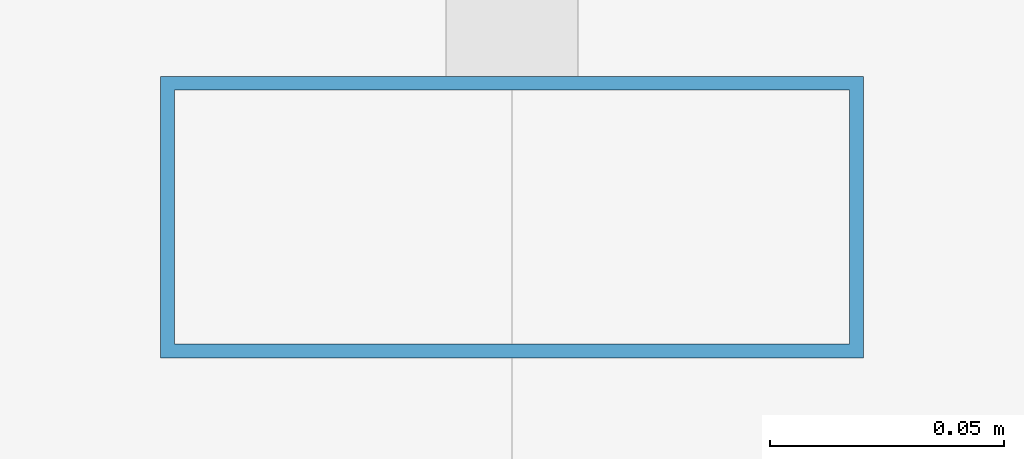
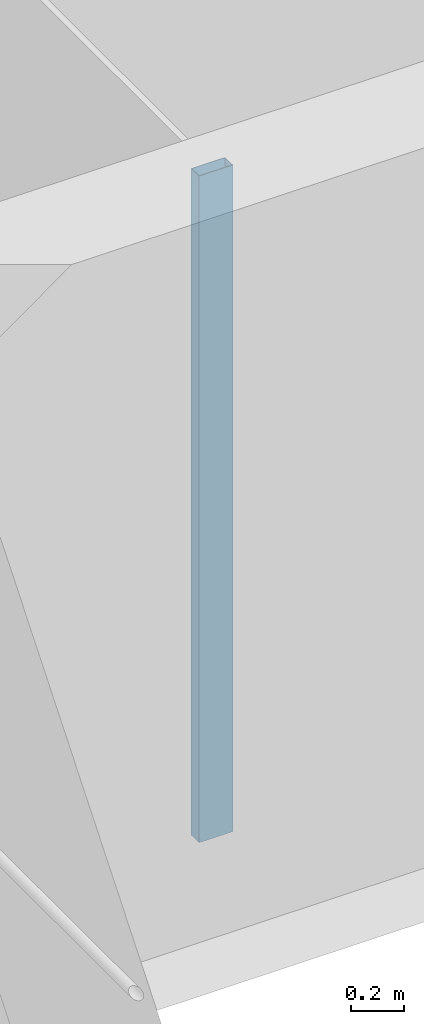
# One storey, part 11 of 40: 1 member, 1 element without a shape of its own.
"""IFC4 building model written with IfcOpenShell, lengths in metres."""

from ifc_helpers import new_model, si_unit, direction, frame, origin, origin_2d, place, context, subcontext, project, spatial, hollow_rectangle, extrude, material, material_profile, profile_set, type_object, element, aggregate, save


model = new_model("IFC4")

# Units and contexts
model_context = context("Model", 3, precision=1e-05, world=origin(), true_north=direction((0.0, 1.0)))
body_context = subcontext(model_context, "Body", "Model", "MODEL_VIEW")
ifc_project = project(units=[si_unit("LENGTHUNIT", "METRE"), si_unit("AREAUNIT", "SQUARE_METRE"), si_unit("VOLUMEUNIT", "CUBIC_METRE"), si_unit("PLANEANGLEUNIT", "RADIAN"), si_unit("MASSUNIT", "GRAM", prefix="KILO")], contexts=[model_context])

# Site, building, storey
site_placement = place(None, origin())
site = spatial("IfcSite", under=ifc_project, at=site_placement, CompositionType="ELEMENT")
building_placement = place(site_placement, origin())
building = spatial("IfcBuilding", under=site, at=building_placement, Name="Altepetl Exchange Towers", CompositionType="ELEMENT")
storey_placement = place(building_placement, frame((0.0, 0.0, 202.800048828125)))
storey = spatial("IfcBuildingStorey", under=building, at=storey_placement, Name="L51", CompositionType="ELEMENT", Elevation=202.800048828125)

# Curtain wall, member
ifc_material_1 = material(Name="Aluminium 6063-T6 glazing", Category="aluminium")
curtain_wall_type = type_object("IfcCurtainWallType", Name="Loggia glazing system", PredefinedType="NOTDEFINED", material=ifc_material_1)
curtain_wall_placement = place(storey_placement, origin())
curtain_wall = element("IfcCurtainWall", 1, at=curtain_wall_placement, inside=storey, type_object=curtain_wall_type, Name="CW1 run", PredefinedType="NOTDEFINED")
ifc_material_2 = material(Name="Aluminium 6063-T6", Category="aluminium")
ifc_material_profile = material_profile(ifc_material_2, hollow_rectangle(XDim=0.06005859375, YDim=0.14990234375, WallThickness=0.0029296875, at=origin_2d()), Name="Mullion 60x150 aluminium")
ifc_profile_set = profile_set([ifc_material_profile], Name="Aluminium 6063-T6")
member_type = type_object("IfcMemberType", Name="Mullion 60x150 aluminium", PredefinedType="MULLION", material=ifc_profile_set)
member_placement = place(storey_placement, frame((42.5, 58.60498046875, 0.0), z_axis=(0.0, 0.0, 1.0), x_axis=(0.0, -1.0, 0.0)))
member = element("IfcMember", 2, at=member_placement, type_object=member_type, Name="MU1 mullion", PredefinedType="MULLION", context=body_context, shape_type="SweptSolid", body=[
    extrude(hollow_rectangle(XDim=0.06005859375, YDim=0.14990234375, WallThickness=0.0029296875, at=origin_2d()), origin(), (0.0, 0.0, 1.0), 3.099853515625),
])
aggregate(curtain_wall, [member])

save(model, "model.ifc")
